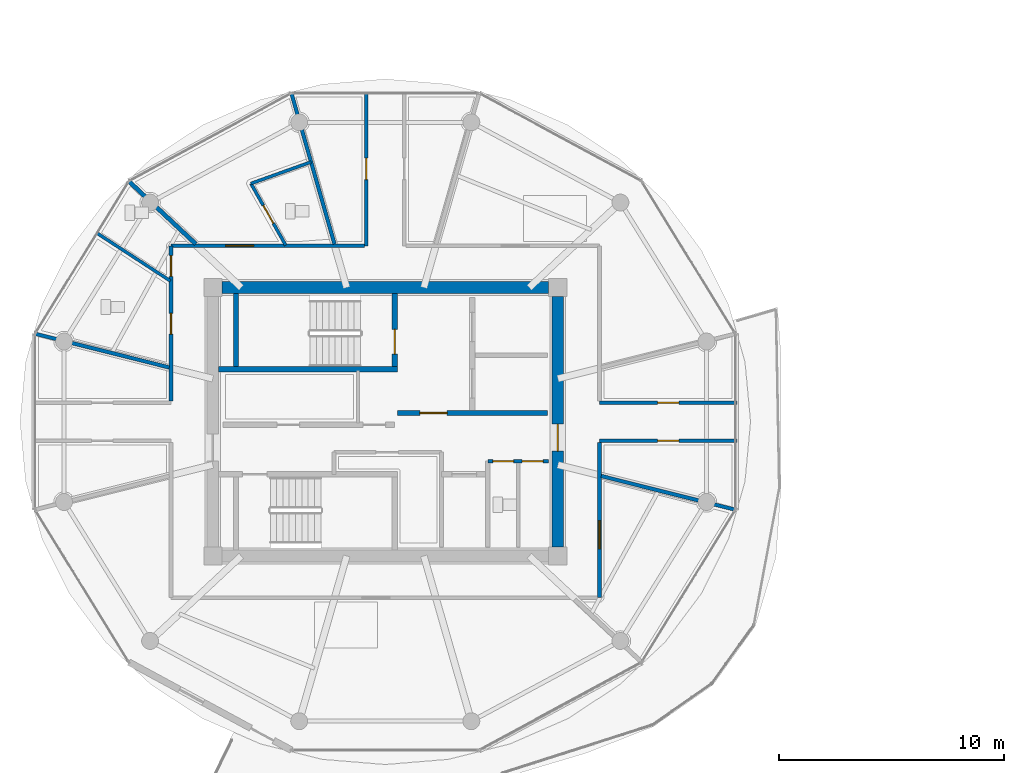
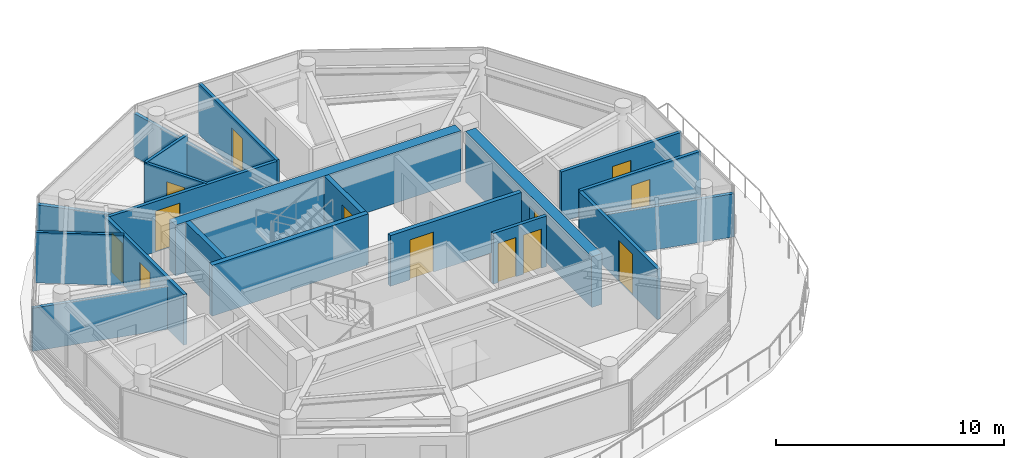
# One storey, part 10 of 21: 20 walls, 13 doors, 13 openings.
"""IFC4 building model written with IfcOpenShell, lengths in metres."""

from ifc_helpers import new_model, si_unit, direction, frame, frame_2d, origin, place, context, subcontext, project, spatial, rectangle, extrude, source, transform, mapped, material, layer, layer_set, type_object, type_shapes, element, fill, save


model = new_model("IFC4")

# Units and contexts
model_context = context("Model", 3, precision=1e-05, world=origin(), true_north=direction((0.0, 1.0)))
body_context = subcontext(model_context, "Body", "Model", "MODEL_VIEW")
ifc_project = project(units=[si_unit("LENGTHUNIT", "METRE"), si_unit("AREAUNIT", "SQUARE_METRE"), si_unit("VOLUMEUNIT", "CUBIC_METRE"), si_unit("PLANEANGLEUNIT", "RADIAN"), si_unit("MASSUNIT", "GRAM", prefix="KILO")], contexts=[model_context])

# Site, building, storey
site_placement = place(None, origin())
site = spatial("IfcSite", under=ifc_project, at=site_placement, CompositionType="ELEMENT")
building_placement = place(site_placement, origin())
building = spatial("IfcBuilding", under=site, at=building_placement, Name="Norrkilde Senior Care Towers", CompositionType="ELEMENT")
storey_placement = place(building_placement, frame((0.0, 0.0, 241.35009765625)))
storey = spatial("IfcBuildingStorey", under=building, at=storey_placement, Name="L75", CompositionType="ELEMENT", Elevation=241.35009765625)

# Wall
ifc_material_1 = material(Name="Concrete C50/60", Category="concrete")
ifc_layer_1 = layer(ifc_material_1, 0.52001953125)
ifc_layer_set_1 = layer_set([ifc_layer_1], Name="Concrete C50/60")
wall_type_1 = type_object("IfcWallType", Name="Core Shear Wall Z4 520", PredefinedType="SHEAR", material=ifc_layer_set_1)
shared_shape_1 = source(origin(), body_context, "Body", "SweptSolid", [
    extrude(rectangle(XDim=14.5, YDim=0.52001953125, at=frame_2d((7.25, 0.0))), origin(), (0.0, 0.0, 1.0), 2.72998046875),
])
wall_1_placement = place(storey_placement, frame((-35.25, 5.949951171875, 0.0), z_axis=(0.0, 0.0, 1.0), x_axis=(1.0, 0.0, 0.0)))
element("IfcWall", 1, at=wall_1_placement, inside=storey, type_object=wall_type_1, Name="L75 Core W North Shear Wall", PredefinedType="SHEAR", context=body_context, shape_type="MappedRepresentation", body=[
    mapped(shared_shape_1, transform((0.0, 0.0, 0.0), x_axis=(1.0, 0.0, 0.0), y_axis=(0.0, 1.0, 0.0), z_axis=(0.0, 0.0, 1.0), scale=1.0)),
])

# Wall, opening, door
shared_shape_2 = source(origin(), body_context, "Body", "SweptSolid", [
    extrude(rectangle(XDim=11.10009765625, YDim=0.52001953125, at=frame_2d((5.550048828125, 0.0))), origin(), (0.0, 0.0, 1.0), 2.72998046875),
])
type_shapes(wall_type_1, [shared_shape_1, shared_shape_2])
wall_2_placement = place(storey_placement, frame((-20.35009765625, 5.550048828125, 0.0), z_axis=(0.0, 0.0, 1.0), x_axis=(0.0, -1.0, 0.0)))
wall_2 = element("IfcWall", 2, at=wall_2_placement, inside=storey, type_object=wall_type_1, Name="L75 Core W East Shear Wall", PredefinedType="SHEAR", context=body_context, shape_type="MappedRepresentation", body=[
    mapped(shared_shape_2, transform((0.0, 0.0, 0.0), x_axis=(1.0, 0.0, 0.0), y_axis=(0.0, 1.0, 0.0), z_axis=(0.0, 0.0, 1.0), scale=1.0)),
])
opening_1_placement = place(wall_2_placement, frame((5.64990234375, 0.0, 0.0)))
opening_1 = element("IfcOpeningElement", 3, at=opening_1_placement, cuts=wall_2, Name="Opening D-04", PredefinedType="OPENING", context=body_context, shape_type="SweptSolid", body=[
    extrude(rectangle(XDim=1.199951171875, YDim=2.14990234375, at=frame_2d((0.60009765625, 1.074951171875))), frame((0.0, 0.27001953125, 0.0), z_axis=(0.0, -1.0, 0.0), x_axis=(1.0, 0.0, 0.0)), (0.0, 0.0, 1.0), 0.5400390625),
])
ifc_material_2 = material(Name="Galvanised Painted Steel", Category="steel")
door_type_1 = type_object("IfcDoorType", Name="Firefighting Lobby Fire Door 1200x2150", OperationType="NOTDEFINED", PredefinedType="DOOR", material=ifc_material_2)
shared_shape_3 = source(origin(), body_context, "Body", "SweptSolid", [
    extrude(rectangle(XDim=1.199951171875, YDim=2.14990234375, at=frame_2d((0.60009765625, 1.074951171875))), frame((0.0, 0.02490234375, 0.0), z_axis=(0.0, -1.0, 0.0), x_axis=(1.0, 0.0, 0.0)), (0.0, 0.0, 1.0), 0.050048828125),
])
type_shapes(door_type_1, [shared_shape_3])
door_1_placement = place(opening_1_placement, frame((1.199951171875, 0.0, 0.0), z_axis=(0.0, 0.0, 1.0), x_axis=(-1.0, 0.0, 0.0)))
door_1 = element("IfcDoor", 4, at=door_1_placement, inside=storey, type_object=door_type_1, Name="L75 Core W East Portal Door", OperationType="SINGLE_SWING_RIGHT", OverallHeight=2.14990234375, OverallWidth=1.199951171875, PredefinedType="DOOR", context=body_context, shape_type="MappedRepresentation", body=[
    mapped(shared_shape_3, transform((0.0, 0.0, 0.0), x_axis=(1.0, 0.0, 0.0), y_axis=(0.0, 1.0, 0.0), z_axis=(0.0, 0.0, 1.0), scale=1.0)),
])
fill(opening_1, door_1)

ifc_material_3 = material(Name="Concrete C45/55", Category="concrete")
ifc_layer_2 = layer(ifc_material_3, 0.2099609375)
ifc_layer_set_2 = layer_set([ifc_layer_2], Name="Concrete C45/55")
wall_type_2 = type_object("IfcWallType", Name="Firefighting Lobby Wall 210", PredefinedType="PARTITIONING", material=ifc_layer_set_2)
shared_shape_4 = source(origin(), body_context, "Body", "SweptSolid", [
    extrude(rectangle(XDim=6.659912109375, YDim=0.2099609375, at=frame_2d((3.330078125, 0.0))), origin(), (0.0, 0.0, 1.0), 2.71484375),
])
type_shapes(wall_type_2, [shared_shape_4])
wall_3_placement = place(storey_placement, frame((-27.4599609375, 0.389892578125, 0.0), z_axis=(0.0, 0.0, 1.0), x_axis=(1.0, 0.0, 0.0)))
wall_3 = element("IfcWall", 5, at=wall_3_placement, inside=storey, type_object=wall_type_2, Name="WL-INT-L75-W-FFLS", PredefinedType="PARTITIONING", context=body_context, shape_type="MappedRepresentation", body=[
    mapped(shared_shape_4, transform((0.0, 0.0, 0.0), x_axis=(1.0, 0.0, 0.0), y_axis=(0.0, 1.0, 0.0), z_axis=(0.0, 0.0, 1.0), scale=1.0)),
])
opening_2_placement = place(wall_3_placement, frame((1.0, 0.0, 0.0)))
opening_2 = element("IfcOpeningElement", 6, at=opening_2_placement, cuts=wall_3, Name="Opening D-04", PredefinedType="OPENING", context=body_context, shape_type="SweptSolid", body=[
    extrude(rectangle(XDim=1.199951171875, YDim=2.14990234375, at=frame_2d((0.60009765625, 1.074951171875))), frame((0.0, 0.114990234375, 0.0), z_axis=(0.0, -1.0, 0.0), x_axis=(1.0, 0.0, 0.0)), (0.0, 0.0, 1.0), 0.22998046875),
])
door_2_placement = place(opening_2_placement, frame((1.199951171875, 0.0, 0.0), z_axis=(0.0, 0.0, 1.0), x_axis=(-1.0, 0.0, 0.0)))
door_2 = element("IfcDoor", 7, at=door_2_placement, inside=storey, type_object=door_type_1, Name="L75 Firefighting Lobby W Door", OperationType="SINGLE_SWING_LEFT", OverallHeight=2.14990234375, OverallWidth=1.199951171875, PredefinedType="DOOR", context=body_context, shape_type="MappedRepresentation", body=[
    mapped(shared_shape_3, transform((0.0, 0.0, 0.0), x_axis=(1.0, 0.0, 0.0), y_axis=(0.0, 1.0, 0.0), z_axis=(0.0, 0.0, 1.0), scale=1.0)),
])
fill(opening_2, door_2)

# Wall, openings, doors
ifc_material_4 = material(Name="Gypsum Acoustic Board")
ifc_layer_3 = layer(ifc_material_4, 0.1650390625)
ifc_layer_set_3 = layer_set([ifc_layer_3], Name="Gypsum Acoustic Board")
wall_type_3 = type_object("IfcWallType", Name="Corridor Rated Partition 165", PredefinedType="PARTITIONING", material=ifc_layer_set_3)
shared_shape_5 = source(origin(), body_context, "Body", "SweptSolid", [
    extrude(rectangle(XDim=2.699951171875, YDim=0.1650390625, at=frame_2d((1.35009765625, 0.0))), origin(), (0.0, 0.0, 1.0), 2.71484375),
])
wall_4_placement = place(storey_placement, frame((-23.449951171875, -1.75, 0.0), z_axis=(0.0, 0.0, 1.0), x_axis=(1.0, 0.0, 0.0)))
wall_4 = element("IfcWall", 8, at=wall_4_placement, inside=storey, type_object=wall_type_3, Name="WL-INT-L75-W-CSN", PredefinedType="PARTITIONING", context=body_context, shape_type="MappedRepresentation", body=[
    mapped(shared_shape_5, transform((0.0, 0.0, 0.0), x_axis=(1.0, 0.0, 0.0), y_axis=(0.0, 1.0, 0.0), z_axis=(0.0, 0.0, 1.0), scale=1.0)),
])
opening_3_placement = place(wall_4_placement, frame((0.222412109375, 0.0, 0.0)))
opening_3 = element("IfcOpeningElement", 9, at=opening_3_placement, cuts=wall_4, Name="Opening D-12", PredefinedType="OPENING", context=body_context, shape_type="SweptSolid", body=[
    extrude(rectangle(XDim=0.925048828125, YDim=2.10009765625, at=frame_2d((0.46240234375, 1.050048828125))), frame((0.0, 0.092529296875, 0.0), z_axis=(0.0, -1.0, 0.0), x_axis=(1.0, 0.0, 0.0)), (0.0, 0.0, 1.0), 0.18505859375),
])
opening_4_placement = place(wall_4_placement, frame((1.5224609375, 0.0, 0.0)))
opening_4 = element("IfcOpeningElement", 10, at=opening_4_placement, cuts=wall_4, Name="Opening D-12", PredefinedType="OPENING", context=body_context, shape_type="SweptSolid", body=[
    extrude(rectangle(XDim=0.925048828125, YDim=2.10009765625, at=frame_2d((0.46240234375, 1.050048828125))), frame((0.0, 0.092529296875, 0.0), z_axis=(0.0, -1.0, 0.0), x_axis=(1.0, 0.0, 0.0)), (0.0, 0.0, 1.0), 0.18505859375),
])
door_type_2 = type_object("IfcDoorType", Name="Core Wet Room Rated Door 925x2100", OperationType="NOTDEFINED", PredefinedType="DOOR", material=ifc_material_2)
shared_shape_6 = source(origin(), body_context, "Body", "SweptSolid", [
    extrude(rectangle(XDim=0.925048828125, YDim=2.10009765625, at=frame_2d((0.46240234375, 1.050048828125))), frame((0.0, 0.02490234375, 0.0), z_axis=(0.0, -1.0, 0.0), x_axis=(1.0, 0.0, 0.0)), (0.0, 0.0, 1.0), 0.050048828125),
])
type_shapes(door_type_2, [shared_shape_6])
door_3_placement = place(opening_3_placement, origin())
door_3 = element("IfcDoor", 11, at=door_3_placement, inside=storey, type_object=door_type_2, Name="L75 Staff Accessible WC W Door", OperationType="SINGLE_SWING_LEFT", OverallHeight=2.10009765625, OverallWidth=0.925048828125, PredefinedType="DOOR", context=body_context, shape_type="MappedRepresentation", body=[
    mapped(shared_shape_6, transform((0.0, 0.0, 0.0), x_axis=(1.0, 0.0, 0.0), y_axis=(0.0, 1.0, 0.0), z_axis=(0.0, 0.0, 1.0), scale=1.0)),
])
fill(opening_3, door_3)
door_4_placement = place(opening_4_placement, origin())
door_4 = element("IfcDoor", 12, at=door_4_placement, inside=storey, type_object=door_type_2, Name="L75 Housekeeping Store W Door", OperationType="SINGLE_SWING_RIGHT", OverallHeight=2.10009765625, OverallWidth=0.925048828125, PredefinedType="DOOR", context=body_context, shape_type="MappedRepresentation", body=[
    mapped(shared_shape_6, transform((0.0, 0.0, 0.0), x_axis=(1.0, 0.0, 0.0), y_axis=(0.0, 1.0, 0.0), z_axis=(0.0, 0.0, 1.0), scale=1.0)),
])
fill(opening_4, door_4)

# Wall, opening, door
shared_shape_7 = source(origin(), body_context, "Body", "SweptSolid", [
    extrude(rectangle(XDim=8.580078125, YDim=0.1650390625, at=frame_2d((4.2900390625, 0.0))), origin(), (0.0, 0.0, 1.0), 2.71484375),
])
wall_5_placement = place(storey_placement, frame((-37.5, 7.800048828125, 0.0), z_axis=(0.0, 0.0, 1.0), x_axis=(1.0, 0.0, 0.0)))
wall_5 = element("IfcWall", 13, at=wall_5_placement, inside=storey, type_object=wall_type_3, Name="WL-INT-L75-W-CRW-N-0", PredefinedType="PARTITIONING", context=body_context, shape_type="MappedRepresentation", body=[
    mapped(shared_shape_7, transform((0.0, 0.0, 0.0), x_axis=(1.0, 0.0, 0.0), y_axis=(0.0, 1.0, 0.0), z_axis=(0.0, 0.0, 1.0), scale=1.0)),
])
opening_5_placement = place(wall_5_placement, frame((2.41455078125, 0.0, 0.0)))
opening_5 = element("IfcOpeningElement", 14, at=opening_5_placement, cuts=wall_5, Name="Opening D-05", PredefinedType="OPENING", context=body_context, shape_type="SweptSolid", body=[
    extrude(rectangle(XDim=1.25, YDim=2.199951171875, at=frame_2d((0.625, 1.10009765625))), frame((0.0, 0.092529296875, 0.0), z_axis=(0.0, -1.0, 0.0), x_axis=(1.0, 0.0, 0.0)), (0.0, 0.0, 1.0), 0.18505859375),
])
ifc_material_5 = material(Name="Nordic Ash Timber", Category="wood")
door_type_3 = type_object("IfcDoorType", Name="Care Bedroom Bariatric Door 1250x2200", OperationType="NOTDEFINED", PredefinedType="DOOR", material=ifc_material_5)
shared_shape_8 = source(origin(), body_context, "Body", "SweptSolid", [
    extrude(rectangle(XDim=1.25, YDim=2.199951171875, at=frame_2d((0.625, 1.10009765625))), frame((0.0, 0.02490234375, 0.0), z_axis=(0.0, -1.0, 0.0), x_axis=(1.0, 0.0, 0.0)), (0.0, 0.0, 1.0), 0.050048828125),
])
type_shapes(door_type_3, [shared_shape_8])
door_5_placement = place(opening_5_placement, frame((1.25, 0.0, 0.0), z_axis=(0.0, 0.0, 1.0), x_axis=(-1.0, 0.0, 0.0)))
door_5 = element("IfcDoor", 15, at=door_5_placement, inside=storey, type_object=door_type_3, Name="L75 Care Suite 7503 Entrance Door", OperationType="SINGLE_SWING_RIGHT", OverallHeight=2.199951171875, OverallWidth=1.25, PredefinedType="DOOR", context=body_context, shape_type="MappedRepresentation", body=[
    mapped(shared_shape_8, transform((0.0, 0.0, 0.0), x_axis=(1.0, 0.0, 0.0), y_axis=(0.0, 1.0, 0.0), z_axis=(0.0, 0.0, 1.0), scale=1.0)),
])
fill(opening_5, door_5)

# Wall, openings, doors
shared_shape_9 = source(origin(), body_context, "Body", "SweptSolid", [
    extrude(rectangle(XDim=6.880126953125, YDim=0.1650390625, at=frame_2d((3.43994140625, 0.0))), origin(), (0.0, 0.0, 1.0), 2.71484375),
])
wall_6_placement = place(storey_placement, frame((-37.5, 0.919921875, 0.0), z_axis=(0.0, 0.0, 1.0), x_axis=(0.0, 1.0, 0.0)))
wall_6 = element("IfcWall", 16, at=wall_6_placement, inside=storey, type_object=wall_type_3, Name="WL-INT-L75-W-CRW-W-1", PredefinedType="PARTITIONING", context=body_context, shape_type="MappedRepresentation", body=[
    mapped(shared_shape_9, transform((0.0, 0.0, 0.0), x_axis=(1.0, 0.0, 0.0), y_axis=(0.0, 1.0, 0.0), z_axis=(0.0, 0.0, 1.0), scale=1.0)),
])
opening_6_placement = place(wall_6_placement, frame((5.525146484375, 0.0, 0.0)))
opening_6 = element("IfcOpeningElement", 17, at=opening_6_placement, cuts=wall_6, Name="Opening D-08", PredefinedType="OPENING", context=body_context, shape_type="SweptSolid", body=[
    extrude(rectangle(XDim=0.919921875, YDim=2.10009765625, at=frame_2d((0.4599609375, 1.050048828125))), frame((0.0, 0.092529296875, 0.0), z_axis=(0.0, -1.0, 0.0), x_axis=(1.0, 0.0, 0.0)), (0.0, 0.0, 1.0), 0.18505859375),
])
opening_7_placement = place(wall_6_placement, frame((2.96240234375, 0.0, 0.0)))
opening_7 = element("IfcOpeningElement", 18, at=opening_7_placement, cuts=wall_6, Name="Opening D-08", PredefinedType="OPENING", context=body_context, shape_type="SweptSolid", body=[
    extrude(rectangle(XDim=0.919921875, YDim=2.10009765625, at=frame_2d((0.4599609375, 1.050048828125))), frame((0.0, 0.092529296875, 0.0), z_axis=(0.0, -1.0, 0.0), x_axis=(1.0, 0.0, 0.0)), (0.0, 0.0, 1.0), 0.18505859375),
])
door_type_4 = type_object("IfcDoorType", Name="Accessible Wet Room Door 920x2100", OperationType="NOTDEFINED", PredefinedType="DOOR", material=ifc_material_5)
shared_shape_10 = source(origin(), body_context, "Body", "SweptSolid", [
    extrude(rectangle(XDim=0.919921875, YDim=2.10009765625, at=frame_2d((0.4599609375, 1.050048828125))), frame((0.0, 0.02490234375, 0.0), z_axis=(0.0, -1.0, 0.0), x_axis=(1.0, 0.0, 0.0)), (0.0, 0.0, 1.0), 0.050048828125),
])
type_shapes(door_type_4, [shared_shape_10])
door_6_placement = place(opening_6_placement, frame((0.919921875, 0.0, 0.0), z_axis=(0.0, 0.0, 1.0), x_axis=(-1.0, 0.0, 0.0)))
door_6 = element("IfcDoor", 19, at=door_6_placement, inside=storey, type_object=door_type_4, Name="L75 Accessible Restroom Door", OperationType="SINGLE_SWING_LEFT", OverallHeight=2.10009765625, OverallWidth=0.919921875, PredefinedType="DOOR", context=body_context, shape_type="MappedRepresentation", body=[
    mapped(shared_shape_10, transform((0.0, 0.0, 0.0), x_axis=(1.0, 0.0, 0.0), y_axis=(0.0, 1.0, 0.0), z_axis=(0.0, 0.0, 1.0), scale=1.0)),
])
fill(opening_6, door_6)
door_7_placement = place(opening_7_placement, frame((0.919921875, 0.0, 0.0), z_axis=(0.0, 0.0, 1.0), x_axis=(-1.0, 0.0, 0.0)))
door_7 = element("IfcDoor", 20, at=door_7_placement, inside=storey, type_object=door_type_4, Name="L75 Public Restroom Door", OperationType="SINGLE_SWING_RIGHT", OverallHeight=2.10009765625, OverallWidth=0.919921875, PredefinedType="DOOR", context=body_context, shape_type="MappedRepresentation", body=[
    mapped(shared_shape_10, transform((0.0, 0.0, 0.0), x_axis=(1.0, 0.0, 0.0), y_axis=(0.0, 1.0, 0.0), z_axis=(0.0, 0.0, 1.0), scale=1.0)),
])
fill(opening_7, door_7)

# Wall, opening, door
wall_7_placement = place(storey_placement, frame((-18.5, -0.919921875, 0.0), z_axis=(0.0, 0.0, 1.0), x_axis=(0.0, -1.0, 0.0)))
wall_7 = element("IfcWall", 21, at=wall_7_placement, inside=storey, type_object=wall_type_3, Name="WL-INT-L75-W-CRW-E-1", PredefinedType="PARTITIONING", context=body_context, shape_type="MappedRepresentation", body=[
    mapped(shared_shape_9, transform((0.0, 0.0, 0.0), x_axis=(1.0, 0.0, 0.0), y_axis=(0.0, 1.0, 0.0), z_axis=(0.0, 0.0, 1.0), scale=1.0)),
])
opening_8_placement = place(wall_7_placement, frame((3.46435546875, 0.0, 0.0)))
opening_8 = element("IfcOpeningElement", 22, at=opening_8_placement, cuts=wall_7, Name="Opening D-05", PredefinedType="OPENING", context=body_context, shape_type="SweptSolid", body=[
    extrude(rectangle(XDim=1.25, YDim=2.199951171875, at=frame_2d((0.625, 1.10009765625))), frame((0.0, 0.092529296875, 0.0), z_axis=(0.0, -1.0, 0.0), x_axis=(1.0, 0.0, 0.0)), (0.0, 0.0, 1.0), 0.18505859375),
])
door_8_placement = place(opening_8_placement, frame((1.25, 0.0, 0.0), z_axis=(0.0, 0.0, 1.0), x_axis=(-1.0, 0.0, 0.0)))
door_8 = element("IfcDoor", 23, at=door_8_placement, inside=storey, type_object=door_type_3, Name="L75 Care Coordination Charting Office Door", OperationType="SINGLE_SWING_LEFT", OverallHeight=2.199951171875, OverallWidth=1.25, PredefinedType="DOOR", context=body_context, shape_type="MappedRepresentation", body=[
    mapped(shared_shape_8, transform((0.0, 0.0, 0.0), x_axis=(1.0, 0.0, 0.0), y_axis=(0.0, 1.0, 0.0), z_axis=(0.0, 0.0, 1.0), scale=1.0)),
])
fill(opening_8, door_8)

# Walls
ifc_layer_4 = layer(ifc_material_3, 0.239990234375)
ifc_layer_set_4 = layer_set([ifc_layer_4], Name="Concrete C45/55")
wall_type_4 = type_object("IfcWallType", Name="Shaft and Stair Enclosure Wall 240", PredefinedType="PARTITIONING", material=ifc_layer_set_4)
shared_shape_11 = source(origin(), body_context, "Body", "SweptSolid", [
    extrude(rectangle(XDim=7.929931640625, YDim=0.239990234375, at=frame_2d((3.96484375, 0.0))), origin(), (0.0, 0.0, 1.0), 2.72998046875),
])
wall_8_placement = place(storey_placement, frame((-35.389892578125, 2.330078125, 0.0), z_axis=(0.0, 0.0, 1.0), x_axis=(1.0, 0.0, 0.0)))
element("IfcWall", 24, at=wall_8_placement, inside=storey, type_object=wall_type_4, Name="WL-INT-L75-W-ST1S", PredefinedType="PARTITIONING", context=body_context, shape_type="MappedRepresentation", body=[
    mapped(shared_shape_11, transform((0.0, 0.0, 0.0), x_axis=(1.0, 0.0, 0.0), y_axis=(0.0, 1.0, 0.0), z_axis=(0.0, 0.0, 1.0), scale=1.0)),
])
shared_shape_12 = source(origin(), body_context, "Body", "SweptSolid", [
    extrude(rectangle(XDim=3.239990234375, YDim=0.239990234375, at=frame_2d((1.6201171875, 0.0))), origin(), (0.0, 0.0, 1.0), 2.72998046875),
])
type_shapes(wall_type_4, [shared_shape_11, shared_shape_12])
wall_9_placement = place(storey_placement, frame((-34.6201171875, 2.449951171875, 0.0), z_axis=(0.0, 0.0, 1.0), x_axis=(0.0, 1.0, 0.0)))
element("IfcWall", 25, at=wall_9_placement, inside=storey, type_object=wall_type_4, Name="WL-INT-L75-W-ST1W", PredefinedType="PARTITIONING", context=body_context, shape_type="MappedRepresentation", body=[
    mapped(shared_shape_12, transform((0.0, 0.0, 0.0), x_axis=(1.0, 0.0, 0.0), y_axis=(0.0, 1.0, 0.0), z_axis=(0.0, 0.0, 1.0), scale=1.0)),
])

# Wall, opening, door
wall_10_placement = place(storey_placement, frame((-27.580078125, 2.449951171875, 0.0), z_axis=(0.0, 0.0, 1.0), x_axis=(0.0, 1.0, 0.0)))
wall_10 = element("IfcWall", 26, at=wall_10_placement, inside=storey, type_object=wall_type_4, Name="WL-INT-L75-W-ST1E", PredefinedType="PARTITIONING", context=body_context, shape_type="MappedRepresentation", body=[
    mapped(shared_shape_12, transform((0.0, 0.0, 0.0), x_axis=(1.0, 0.0, 0.0), y_axis=(0.0, 1.0, 0.0), z_axis=(0.0, 0.0, 1.0), scale=1.0)),
])
opening_9_placement = place(wall_10_placement, frame((0.550048828125, 0.0, 0.0)))
opening_9 = element("IfcOpeningElement", 27, at=opening_9_placement, cuts=wall_10, Name="Opening D-03", PredefinedType="OPENING", context=body_context, shape_type="SweptSolid", body=[
    extrude(rectangle(XDim=1.10009765625, YDim=2.14990234375, at=frame_2d((0.550048828125, 1.074951171875))), frame((0.0, 0.1298828125, 0.0), z_axis=(0.0, -1.0, 0.0), x_axis=(1.0, 0.0, 0.0)), (0.0, 0.0, 1.0), 0.260009765625),
])
door_type_5 = type_object("IfcDoorType", Name="Stairwell Protected Fire Door 1100x2150", OperationType="NOTDEFINED", PredefinedType="DOOR", material=ifc_material_2)
shared_shape_13 = source(origin(), body_context, "Body", "SweptSolid", [
    extrude(rectangle(XDim=1.10009765625, YDim=2.14990234375, at=frame_2d((0.550048828125, 1.074951171875))), frame((0.0, 0.02490234375, 0.0), z_axis=(0.0, -1.0, 0.0), x_axis=(1.0, 0.0, 0.0)), (0.0, 0.0, 1.0), 0.050048828125),
])
type_shapes(door_type_5, [shared_shape_13])
door_9_placement = place(opening_9_placement, origin())
door_9 = element("IfcDoor", 28, at=door_9_placement, inside=storey, type_object=door_type_5, Name="L75 Stair W1 Fire Door", OperationType="SINGLE_SWING_LEFT", OverallHeight=2.14990234375, OverallWidth=1.10009765625, PredefinedType="DOOR", context=body_context, shape_type="MappedRepresentation", body=[
    mapped(shared_shape_13, transform((0.0, 0.0, 0.0), x_axis=(1.0, 0.0, 0.0), y_axis=(0.0, 1.0, 0.0), z_axis=(0.0, 0.0, 1.0), scale=1.0)),
])
fill(opening_9, door_9)

# Walls
shared_shape_14 = source(origin(), body_context, "Body", "SweptSolid", [
    extrude(rectangle(XDim=6.973876953125, YDim=0.1650390625, at=frame_2d((3.48681640625, 0.0))), origin(), (0.0, 0.0, 1.0), 2.31494140625),
])
wall_11_placement = place(storey_placement, frame((-30.251220703125, 7.8798828125, 0.0), z_axis=(0.0, 0.0, 1.0), x_axis=(-0.274707256801, 0.961527910703, 0.0)))
element("IfcWall", 29, at=wall_11_placement, inside=storey, type_object=wall_type_3, Name="WL-INT-L75-W-DEM-03-0", PredefinedType="PARTITIONING", context=body_context, shape_type="MappedRepresentation", body=[
    mapped(shared_shape_14, transform((0.0, 0.0, 0.0), x_axis=(1.0, 0.0, 0.0), y_axis=(0.0, 1.0, 0.0), z_axis=(0.0, 0.0, 1.0), scale=1.0)),
])
shared_shape_15 = source(origin(), body_context, "Body", "SweptSolid", [
    extrude(rectangle(XDim=6.1572265625, YDim=0.1650390625, at=frame_2d((3.07861328125, 0.0))), origin(), (0.0, 0.0, 1.0), 2.31494140625),
])
for number, where, z_axis, x_axis, name in (
    (30, (-37.580078125, 2.407470703125, 0.0), (0.0, 0.0, 1.0), (-0.969840867184, 0.243738984038, 0.0), "WL-INT-L75-W-DEM-05-0"),
    (31, (-18.419921875, -2.407470703125, 0.0), (0.0, 0.0, 1.0), (0.969840867184, -0.243738984038, 0.0), "WL-INT-L75-W-DEM-11-0"),
):
    element("IfcWall", number, at=place(storey_placement, frame(where, z_axis=z_axis, x_axis=x_axis)), inside=storey, type_object=wall_type_3, Name=name, PredefinedType="PARTITIONING", context=body_context, shape_type="MappedRepresentation", body=[
        mapped(shared_shape_15, transform((0.0, 0.0, 0.0), x_axis=(1.0, 0.0, 0.0), y_axis=(0.0, 1.0, 0.0), z_axis=(0.0, 0.0, 1.0), scale=1.0)),
    ])

# Wall, opening, door
shared_shape_16 = source(origin(), body_context, "Body", "SweptSolid", [
    extrude(rectangle(XDim=6.83544921875, YDim=0.1650390625, at=frame_2d((3.417724609375, 0.0))), origin(), (0.0, 0.0, 1.0), 2.71484375),
])
wall_12_placement = place(storey_placement, frame((-28.840087890625, 7.800048828125, 0.0), z_axis=(0.0, 0.0, 1.0), x_axis=(0.0, 1.0, 0.0)))
wall_12 = element("IfcWall", 32, at=wall_12_placement, inside=storey, type_object=wall_type_3, Name="WL-INT-L75-W-SPK-N1-0", PredefinedType="PARTITIONING", context=body_context, shape_type="MappedRepresentation", body=[
    mapped(shared_shape_16, transform((0.0, 0.0, 0.0), x_axis=(1.0, 0.0, 0.0), y_axis=(0.0, 1.0, 0.0), z_axis=(0.0, 0.0, 1.0), scale=1.0)),
])
opening_10_placement = place(wall_12_placement, frame((2.942626953125, 0.0, 0.0)))
opening_10 = element("IfcOpeningElement", 33, at=opening_10_placement, cuts=wall_12, Name="Opening D-07", PredefinedType="OPENING", context=body_context, shape_type="SweptSolid", body=[
    extrude(rectangle(XDim=0.949951171875, YDim=2.10009765625, at=frame_2d((0.47509765625, 1.050048828125))), frame((0.0, 0.092529296875, 0.0), z_axis=(0.0, -1.0, 0.0), x_axis=(1.0, 0.0, 0.0)), (0.0, 0.0, 1.0), 0.18505859375),
])
door_type_6 = type_object("IfcDoorType", Name="Internal Suite Bedroom Door 950x2100", OperationType="NOTDEFINED", PredefinedType="DOOR", material=ifc_material_5)
shared_shape_17 = source(origin(), body_context, "Body", "SweptSolid", [
    extrude(rectangle(XDim=0.949951171875, YDim=2.10009765625, at=frame_2d((0.47509765625, 1.050048828125))), frame((0.0, 0.02490234375, 0.0), z_axis=(0.0, -1.0, 0.0), x_axis=(1.0, 0.0, 0.0)), (0.0, 0.0, 1.0), 0.050048828125),
])
type_shapes(door_type_6, [shared_shape_17])
door_10_placement = place(opening_10_placement, frame((0.949951171875, 0.0, 0.0), z_axis=(0.0, 0.0, 1.0), x_axis=(-1.0, 0.0, 0.0)))
door_10 = element("IfcDoor", 34, at=door_10_placement, inside=storey, type_object=door_type_6, Name="L75 Sun Reading Lounge 3 Door", OperationType="SINGLE_SWING_RIGHT", OverallHeight=2.10009765625, OverallWidth=0.949951171875, PredefinedType="DOOR", context=body_context, shape_type="MappedRepresentation", body=[
    mapped(shared_shape_17, transform((0.0, 0.0, 0.0), x_axis=(1.0, 0.0, 0.0), y_axis=(0.0, 1.0, 0.0), z_axis=(0.0, 0.0, 1.0), scale=1.0)),
])
fill(opening_10, door_10)

shared_shape_18 = source(origin(), body_context, "Body", "SweptSolid", [
    extrude(rectangle(XDim=6.101318359375, YDim=0.1650390625, at=frame_2d((3.05078125, 0.0))), origin(), (0.0, 0.0, 1.0), 2.71484375),
])
type_shapes(wall_type_3, [shared_shape_5, shared_shape_7, shared_shape_9, shared_shape_14, shared_shape_15, shared_shape_16, shared_shape_18])
wall_13_placement = place(storey_placement, frame((-18.5, 0.840087890625, 0.0), z_axis=(0.0, 0.0, 1.0), x_axis=(1.0, 0.0, 0.0)))
wall_13 = element("IfcWall", 35, at=wall_13_placement, inside=storey, type_object=wall_type_3, Name="WL-INT-L75-W-SPK-E1-0", PredefinedType="PARTITIONING", context=body_context, shape_type="MappedRepresentation", body=[
    mapped(shared_shape_18, transform((0.0, 0.0, 0.0), x_axis=(1.0, 0.0, 0.0), y_axis=(0.0, 1.0, 0.0), z_axis=(0.0, 0.0, 1.0), scale=1.0)),
])
opening_11_placement = place(wall_13_placement, frame((2.57568359375, 0.0, 0.0)))
opening_11 = element("IfcOpeningElement", 36, at=opening_11_placement, cuts=wall_13, Name="Opening D-07", PredefinedType="OPENING", context=body_context, shape_type="SweptSolid", body=[
    extrude(rectangle(XDim=0.949951171875, YDim=2.10009765625, at=frame_2d((0.47509765625, 1.050048828125))), frame((0.0, 0.092529296875, 0.0), z_axis=(0.0, -1.0, 0.0), x_axis=(1.0, 0.0, 0.0)), (0.0, 0.0, 1.0), 0.18505859375),
])
door_11_placement = place(opening_11_placement, frame((0.949951171875, 0.0, 0.0), z_axis=(0.0, 0.0, 1.0), x_axis=(-1.0, 0.0, 0.0)))
door_11 = element("IfcDoor", 37, at=door_11_placement, inside=storey, type_object=door_type_6, Name="L75 Sun Reading Lounge 6 Door", OperationType="SINGLE_SWING_LEFT", OverallHeight=2.10009765625, OverallWidth=0.949951171875, PredefinedType="DOOR", context=body_context, shape_type="MappedRepresentation", body=[
    mapped(shared_shape_17, transform((0.0, 0.0, 0.0), x_axis=(1.0, 0.0, 0.0), y_axis=(0.0, 1.0, 0.0), z_axis=(0.0, 0.0, 1.0), scale=1.0)),
])
fill(opening_11, door_11)

wall_14_placement = place(storey_placement, frame((-12.398681640625, -0.840087890625, 0.0), z_axis=(0.0, 0.0, 1.0), x_axis=(-1.0, 0.0, 0.0)))
wall_14 = element("IfcWall", 38, at=wall_14_placement, inside=storey, type_object=wall_type_3, Name="WL-INT-L75-W-SPK-E2-0", PredefinedType="PARTITIONING", context=body_context, shape_type="MappedRepresentation", body=[
    mapped(shared_shape_18, transform((0.0, 0.0, 0.0), x_axis=(1.0, 0.0, 0.0), y_axis=(0.0, 1.0, 0.0), z_axis=(0.0, 0.0, 1.0), scale=1.0)),
])
opening_12_placement = place(wall_14_placement, frame((2.57568359375, 0.0, 0.0)))
opening_12 = element("IfcOpeningElement", 39, at=opening_12_placement, cuts=wall_14, Name="Opening D-07", PredefinedType="OPENING", context=body_context, shape_type="SweptSolid", body=[
    extrude(rectangle(XDim=0.949951171875, YDim=2.10009765625, at=frame_2d((0.47509765625, 1.050048828125))), frame((0.0, 0.092529296875, 0.0), z_axis=(0.0, -1.0, 0.0), x_axis=(1.0, 0.0, 0.0)), (0.0, 0.0, 1.0), 0.18505859375),
])
door_12_placement = place(opening_12_placement, frame((0.949951171875, 0.0, 0.0), z_axis=(0.0, 0.0, 1.0), x_axis=(-1.0, 0.0, 0.0)))
door_12 = element("IfcDoor", 40, at=door_12_placement, inside=storey, type_object=door_type_6, Name="L75 Sun Reading Lounge 5 Door", OperationType="SINGLE_SWING_RIGHT", OverallHeight=2.10009765625, OverallWidth=0.949951171875, PredefinedType="DOOR", context=body_context, shape_type="MappedRepresentation", body=[
    mapped(shared_shape_17, transform((0.0, 0.0, 0.0), x_axis=(1.0, 0.0, 0.0), y_axis=(0.0, 1.0, 0.0), z_axis=(0.0, 0.0, 1.0), scale=1.0)),
])
fill(opening_12, door_12)

# Wall
ifc_layer_5 = layer(ifc_material_4, 0.18994140625)
ifc_layer_set_5 = layer_set([ifc_layer_5], Name="Gypsum Acoustic Board")
wall_type_5 = type_object("IfcWallType", Name="Unit Demising Acoustic Wall 190", PredefinedType="PARTITIONING", material=ifc_layer_set_5)
shared_shape_19 = source(origin(), body_context, "Body", "SweptSolid", [
    extrude(rectangle(XDim=4.089111328125, YDim=0.18994140625, at=frame_2d((2.04443359375, 0.0))), origin(), (0.0, 0.0, 1.0), 2.31494140625),
])
type_shapes(wall_type_5, [shared_shape_19])
wall_15_placement = place(storey_placement, frame((-36.40185546875, 7.8798828125, 0.0), z_axis=(0.0, 0.0, 1.0), x_axis=(-0.729401273609, 0.684086092577, 0.0)))
element("IfcWall", 41, at=wall_15_placement, inside=storey, type_object=wall_type_5, Name="WL-INT-L75-W-DEM-04-0", PredefinedType="PARTITIONING", context=body_context, shape_type="MappedRepresentation", body=[
    mapped(shared_shape_19, transform((0.0, 0.0, 0.0), x_axis=(1.0, 0.0, 0.0), y_axis=(0.0, 1.0, 0.0), z_axis=(0.0, 0.0, 1.0), scale=1.0)),
])

# Wall, opening, door
ifc_layer_6 = layer(ifc_material_4, 0.139892578125)
ifc_layer_set_6 = layer_set([ifc_layer_6], Name="Gypsum Acoustic Board")
wall_type_6 = type_object("IfcWallType", Name="En-suite Wet Room Wall 140", PredefinedType="PARTITIONING", material=ifc_layer_set_6)
shared_shape_20 = source(origin(), body_context, "Body", "SweptSolid", [
    extrude(rectangle(XDim=3.14013671875, YDim=0.139892578125, at=frame_2d((1.570068359375, 0.0))), origin(), (0.0, 0.0, 1.0), 2.71484375),
])
wall_16_placement = place(storey_placement, frame((-32.4150390625, 7.830078125, 0.0), z_axis=(0.0, 0.0, 1.0), x_axis=(-0.491132137966, 0.871085083707, 0.0)))
wall_16 = element("IfcWall", 42, at=wall_16_placement, inside=storey, type_object=wall_type_6, Name="WL-INT-L75-W-ES-03", PredefinedType="PARTITIONING", context=body_context, shape_type="MappedRepresentation", body=[
    mapped(shared_shape_20, transform((0.0, 0.0, 0.0), x_axis=(1.0, 0.0, 0.0), y_axis=(0.0, 1.0, 0.0), z_axis=(0.0, 0.0, 1.0), scale=1.0)),
])
opening_13_placement = place(wall_16_placement, frame((1.110107421875, 0.0, 0.0)))
opening_13 = element("IfcOpeningElement", 43, at=opening_13_placement, cuts=wall_16, Name="Opening D-08", PredefinedType="OPENING", context=body_context, shape_type="SweptSolid", body=[
    extrude(rectangle(XDim=0.919921875, YDim=2.10009765625, at=frame_2d((0.4599609375, 1.050048828125))), frame((0.0, 0.079833984375, 0.0), z_axis=(0.0, -1.0, 0.0), x_axis=(1.0, 0.0, 0.0)), (0.0, 0.0, 1.0), 0.159912109375),
])
door_13_placement = place(opening_13_placement, origin())
door_13 = element("IfcDoor", 44, at=door_13_placement, inside=storey, type_object=door_type_4, Name="L75 Care Suite 7503 Bathroom Door", OperationType="SINGLE_SWING_LEFT", OverallHeight=2.10009765625, OverallWidth=0.919921875, PredefinedType="DOOR", context=body_context, shape_type="MappedRepresentation", body=[
    mapped(shared_shape_10, transform((0.0, 0.0, 0.0), x_axis=(1.0, 0.0, 0.0), y_axis=(0.0, 1.0, 0.0), z_axis=(0.0, 0.0, 1.0), scale=1.0)),
])
fill(opening_13, door_13)

# Walls
shared_shape_21 = source(origin(), body_context, "Body", "SweptSolid", [
    extrude(rectangle(XDim=2.8310546875, YDim=0.139892578125, at=frame_2d((1.41552734375, 0.0))), origin(), (0.0, 0.0, 1.0), 2.71484375),
])
wall_17_placement = place(storey_placement, frame((-33.957275390625, 10.5654296875, 0.0), z_axis=(0.0, 0.0, 1.0), x_axis=(0.941411742535, 0.337259441701, 0.0)))
element("IfcWall", 45, at=wall_17_placement, inside=storey, type_object=wall_type_6, Name="WL-INT-L75-W-EF-03", PredefinedType="PARTITIONING", context=body_context, shape_type="MappedRepresentation", body=[
    mapped(shared_shape_21, transform((0.0, 0.0, 0.0), x_axis=(1.0, 0.0, 0.0), y_axis=(0.0, 1.0, 0.0), z_axis=(0.0, 0.0, 1.0), scale=1.0)),
])
shared_shape_22 = source(origin(), body_context, "Body", "SweptSolid", [
    extrude(rectangle(XDim=3.903564453125, YDim=0.139892578125, at=frame_2d((1.95166015625, 0.0))), origin(), (0.0, 0.0, 1.0), 2.71484375),
])
type_shapes(wall_type_6, [shared_shape_20, shared_shape_21, shared_shape_22])
wall_18_placement = place(storey_placement, frame((-37.530029296875, 6.245849609375, 0.0), z_axis=(0.0, 0.0, 1.0), x_axis=(-0.838024687996, 0.545632314209, 0.0)))
element("IfcWall", 46, at=wall_18_placement, inside=storey, type_object=wall_type_6, Name="WL-INT-L75-W-MID-04", PredefinedType="PARTITIONING", context=body_context, shape_type="MappedRepresentation", body=[
    mapped(shared_shape_22, transform((0.0, 0.0, 0.0), x_axis=(1.0, 0.0, 0.0), y_axis=(0.0, 1.0, 0.0), z_axis=(0.0, 0.0, 1.0), scale=1.0)),
])

save(model, "model.ifc")
